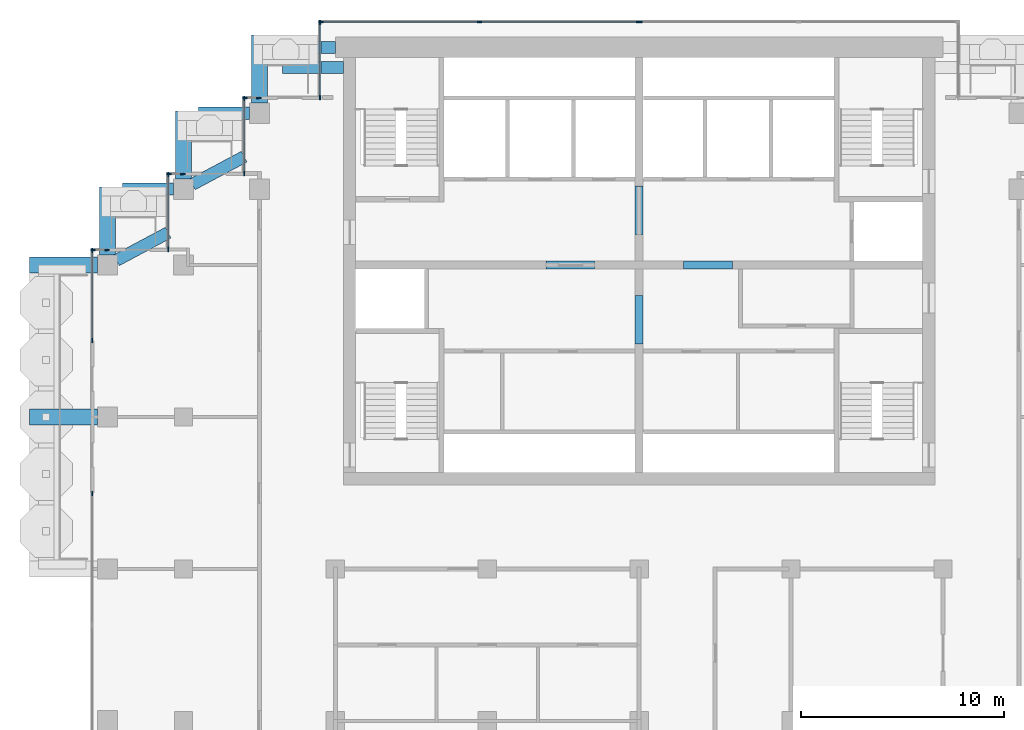
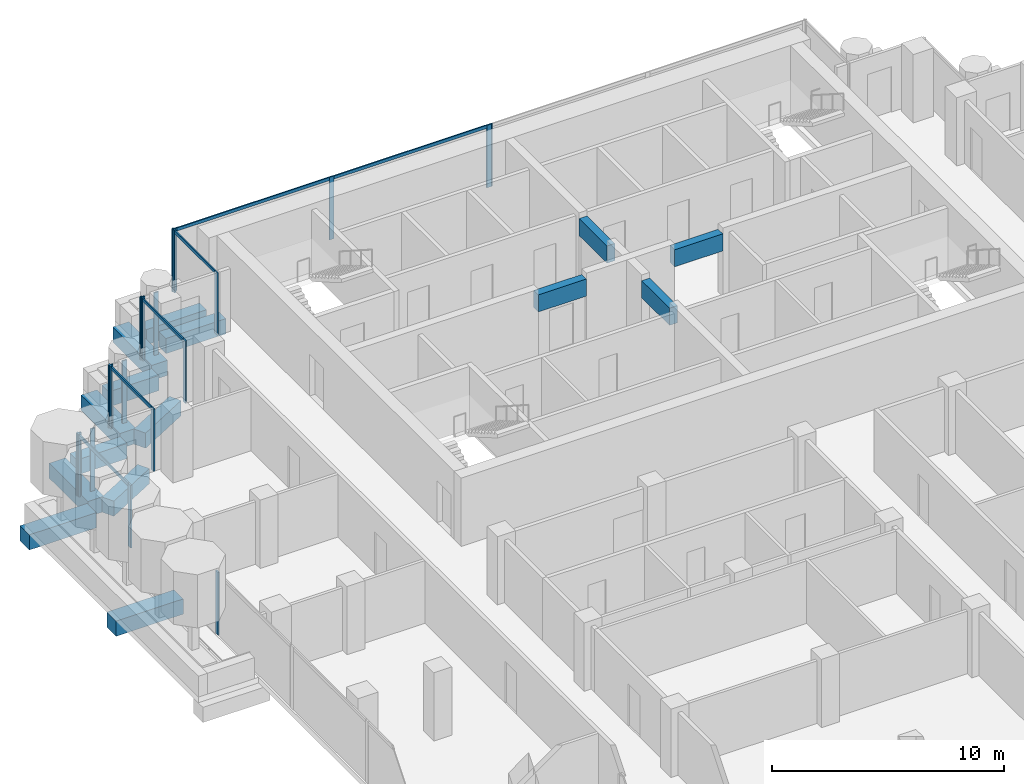
# One storey, part 5 of 18: 25 members, 15 beams, 10 elements without a shape of their own.
"""IFC4 building model written with IfcOpenShell, lengths in metres."""

from ifc_helpers import new_model, si_unit, direction, frame, origin, origin_2d, place, context, subcontext, project, spatial, rectangle, extrude, material, material_profile, profile_set, type_object, element, aggregate, save


model = new_model("IFC4")

# Units and contexts
model_context = context("Model", 3, precision=1e-05, world=origin(), true_north=direction((0.0, 1.0)))
body_context = subcontext(model_context, "Body", "Model", "MODEL_VIEW")
ifc_project = project(units=[si_unit("LENGTHUNIT", "METRE"), si_unit("AREAUNIT", "SQUARE_METRE"), si_unit("VOLUMEUNIT", "CUBIC_METRE"), si_unit("PLANEANGLEUNIT", "RADIAN"), si_unit("MASSUNIT", "GRAM", prefix="KILO")], contexts=[model_context])

# Site, building, storey
site_placement = place(None, origin())
site = spatial("IfcSite", under=ifc_project, at=site_placement, CompositionType="ELEMENT")
building_placement = place(site_placement, origin())
building = spatial("IfcBuilding", under=site, at=building_placement, Name="Pilkhan Gate Tower", CompositionType="ELEMENT")
storey_placement = place(building_placement, frame((0.0, 0.0, 199.5)))
storey = spatial("IfcBuildingStorey", under=building, at=storey_placement, Name="L51", CompositionType="ELEMENT", Elevation=199.5)

# Beams
ifc_material_1 = material(Name="Concrete C50/60", Category="concrete")
ifc_material_profile_1 = material_profile(ifc_material_1, rectangle(XDim=0.60009765625, YDim=0.800048828125, at=origin_2d()), Name="RC 600x800")
ifc_profile_set_1 = profile_set([ifc_material_profile_1], Name="Concrete C50/60")
beam_type_1 = type_object("IfcBeamType", Name="Cantilever beam CB1 RC 600x800 C50/60", PredefinedType="BEAM", material=ifc_profile_set_1)
for number, where, z_axis, x_axis, name in (
    (1, (60.0, 93.25, -0.699951171875), (-1.0, 0.0, 0.0), (0.0, -1.0, 0.0), "Balcony beam NW.2 L51"),
    (2, (60.39990234375, 92.25, -0.699951171875), (-1.0, 0.0, 0.0), (0.0, -1.0, 0.0), "Balcony beam NW.3 L51"),
):
    element("IfcBeam", number, at=place(storey_placement, frame(where, z_axis=z_axis, x_axis=x_axis)), inside=storey, type_object=beam_type_1, Name=name, PredefinedType="BEAM", context=body_context, shape_type="SweptSolid", body=[
        extrude(rectangle(XDim=0.60009765625, YDim=0.800048828125, at=origin_2d()), origin(), (0.0, 0.0, 1.0), 3.0),
    ])
beam_1_placement = place(storey_placement, frame((55.75, 90.0, -0.699951171875), z_axis=(-1.0, 0.0, 0.0), x_axis=(0.0, -1.0, 0.0)))
element("IfcBeam", 3, at=beam_1_placement, inside=storey, type_object=beam_type_1, Name="Balcony beam NW1.2 L51", PredefinedType="BEAM", context=body_context, shape_type="SweptSolid", body=[
    extrude(rectangle(XDim=0.60009765625, YDim=0.800048828125, at=origin_2d()), origin(), (0.0, 0.0, 1.0), 2.5),
])
beam_2_placement = place(storey_placement, frame((52.941162109375, 86.4853515625, -0.699951171875), z_axis=(0.882348280344, 0.470596974251, 0.0), x_axis=(-0.470596974251, 0.882348280344, 0.0)))
element("IfcBeam", 4, at=beam_2_placement, inside=storey, type_object=beam_type_1, Name="Balcony beam NW1.3 L51", PredefinedType="BEAM", context=body_context, shape_type="SweptSolid", body=[
    extrude(rectangle(XDim=0.60009765625, YDim=0.800048828125, at=origin_2d()), origin(), (0.0, 0.0, 1.0), 2.900146484375),
])
beam_3_placement = place(storey_placement, frame((52.0, 86.25, -0.699951171875), z_axis=(-1.0, 0.0, 0.0), x_axis=(0.0, -1.0, 0.0)))
element("IfcBeam", 5, at=beam_3_placement, inside=storey, type_object=beam_type_1, Name="Balcony beam NW2.2 L51", PredefinedType="BEAM", context=body_context, shape_type="SweptSolid", body=[
    extrude(rectangle(XDim=0.60009765625, YDim=0.800048828125, at=origin_2d()), origin(), (0.0, 0.0, 1.0), 2.5),
])
beam_4_placement = place(storey_placement, frame((49.191162109375, 82.7353515625, -0.699951171875), z_axis=(0.882348280344, 0.470596974251, 0.0), x_axis=(-0.470596974251, 0.882348280344, 0.0)))
element("IfcBeam", 6, at=beam_4_placement, inside=storey, type_object=beam_type_1, Name="Balcony beam NW2.3 L51", PredefinedType="BEAM", context=body_context, shape_type="SweptSolid", body=[
    extrude(rectangle(XDim=0.60009765625, YDim=0.800048828125, at=origin_2d()), origin(), (0.0, 0.0, 1.0), 2.900146484375),
])
ifc_material_profile_2 = material_profile(ifc_material_1, rectangle(XDim=0.800048828125, YDim=0.800048828125, at=origin_2d()), Name="RC 800x800")
ifc_profile_set_2 = profile_set([ifc_material_profile_2], Name="Concrete C50/60")
beam_type_2 = type_object("IfcBeamType", Name="Cantilever beam CB2 RC 800x800 C50/60", PredefinedType="BEAM", material=ifc_profile_set_2)
for number, where, z_axis, x_axis, name in (
    (7, (56.25, 90.5, -0.699951171875), (0.0, 1.0, 0.0), (-1.0, 0.0, 0.0), "Balcony beam NW.1 L51"),
    (8, (52.5, 86.75, -0.699951171875), (0.0, 1.0, 0.0), (-1.0, 0.0, 0.0), "Balcony beam NW1.1 L51"),
    (9, (48.75, 83.0, -0.699951171875), (0.0, 1.0, 0.0), (-1.0, 0.0, 0.0), "Balcony beam NW2.1 L51"),
    (10, (48.25, 75.0, -0.699951171875), (-1.0, 0.0, 0.0), (0.0, -1.0, 0.0), "Balcony beam W.2 L51"),
    (11, (48.25, 82.5, -0.699951171875), (-1.0, 0.0, 0.0), (0.0, -1.0, 0.0), "Balcony beam W.3 L51"),
):
    element("IfcBeam", number, at=place(storey_placement, frame(where, z_axis=z_axis, x_axis=x_axis)), inside=storey, type_object=beam_type_2, Name=name, PredefinedType="BEAM", context=body_context, shape_type="SweptSolid", body=[
        extrude(rectangle(XDim=0.800048828125, YDim=0.800048828125, at=origin_2d()), origin(), (0.0, 0.0, 1.0), 3.35009765625),
    ])
ifc_material_profile_3 = material_profile(ifc_material_1, rectangle(XDim=0.39990234375, YDim=0.89990234375, at=origin_2d()), Name="RC 400x900")
ifc_profile_set_3 = profile_set([ifc_material_profile_3], Name="Concrete C50/60")
beam_type_3 = type_object("IfcBeamType", Name="Coupling beam CB90-4 RC 400x900 C50/60", PredefinedType="LINTEL", material=ifc_profile_set_3)
for number, where, z_axis, x_axis, name in (
    (12, (70.39990234375, 82.5, 2.85009765625), (1.0, 0.0, 0.0), (0.0, 1.0, 0.0), "Coupling beam 1 L51"),
    (13, (77.199951171875, 82.5, 2.85009765625), (1.0, 0.0, 0.0), (0.0, 1.0, 0.0), "Coupling beam 2 L51"),
):
    element("IfcBeam", number, at=place(storey_placement, frame(where, z_axis=z_axis, x_axis=x_axis)), inside=storey, type_object=beam_type_3, Name=name, PredefinedType="LINTEL", context=body_context, shape_type="SweptSolid", body=[
        extrude(rectangle(XDim=0.39990234375, YDim=0.89990234375, at=origin_2d()), origin(), (0.0, 0.0, 1.0), 2.400146484375),
    ])
for number, where, z_axis, x_axis, name in (
    (14, (75.0, 78.60009765625, 2.85009765625), (0.0, 1.0, 0.0), (-1.0, 0.0, 0.0), "Coupling beam 3 L51"),
    (15, (75.0, 84.0, 2.85009765625), (0.0, 1.0, 0.0), (-1.0, 0.0, 0.0), "Coupling beam 4 L51"),
):
    element("IfcBeam", number, at=place(storey_placement, frame(where, z_axis=z_axis, x_axis=x_axis)), inside=storey, type_object=beam_type_3, Name=name, PredefinedType="LINTEL", context=body_context, shape_type="SweptSolid", body=[
        extrude(rectangle(XDim=0.39990234375, YDim=0.89990234375, at=origin_2d()), origin(), (0.0, 0.0, 1.0), 2.39990234375),
    ])

# Curtain wall, members
ifc_material_2 = material(Name="Pale anodised aluminium, clear low-iron double glazing", Category="aluminium")
curtain_wall_type = type_object("IfcCurtainWallType", Name="Office unitised curtain wall CW-O2", PredefinedType="USERDEFINED", material=ifc_material_2)
curtain_wall_1_placement = place(storey_placement, origin())
curtain_wall_1 = element("IfcCurtainWall", 16, at=curtain_wall_1_placement, inside=storey, type_object=curtain_wall_type, Name="Office unitised curtain wall CW-O2 L51 N", ObjectType="UNITISED CURTAIN WALL", PredefinedType="USERDEFINED")
ifc_material_3 = material(Name="Pale anodised aluminium", Category="aluminium")
ifc_material_profile_4 = material_profile(ifc_material_3, rectangle(XDim=0.06494140625, YDim=0.22509765625, at=origin_2d()), Name="Mullion 225x65")
ifc_profile_set_4 = profile_set([ifc_material_profile_4], Name="Pale anodised aluminium")
member_type_1 = type_object("IfcMemberType", Name="Mullion CW-O2 225x65", PredefinedType="MULLION", material=ifc_profile_set_4)
member_1_placement = place(storey_placement, frame((59.282470703125, 94.5, 0.0), z_axis=(0.0, 0.0, 1.0), x_axis=(0.0, 1.0, 0.0)))
member_1 = element("IfcMember", 17, at=member_1_placement, type_object=member_type_1, Name="CW-O2 mullion 1", PredefinedType="MULLION", context=body_context, shape_type="SweptSolid", body=[
    extrude(rectangle(XDim=0.06494140625, YDim=0.22509765625, at=origin_2d()), origin(), (0.0, 0.0, 1.0), 3.300048828125),
])
member_2_placement = place(storey_placement, frame((67.125, 94.5, 0.0), z_axis=(0.0, 0.0, 1.0), x_axis=(0.0, 1.0, 0.0)))
member_2 = element("IfcMember", 18, at=member_2_placement, type_object=member_type_1, Name="CW-O2 mullion 2", PredefinedType="MULLION", context=body_context, shape_type="SweptSolid", body=[
    extrude(rectangle(XDim=0.06494140625, YDim=0.22509765625, at=origin_2d()), origin(), (0.0, 0.0, 1.0), 3.300048828125),
])
member_3_placement = place(storey_placement, frame((74.967529296875, 94.5, 0.0), z_axis=(0.0, 0.0, 1.0), x_axis=(0.0, 1.0, 0.0)))
member_3 = element("IfcMember", 19, at=member_3_placement, type_object=member_type_1, Name="CW-O2 mullion 3", PredefinedType="MULLION", context=body_context, shape_type="SweptSolid", body=[
    extrude(rectangle(XDim=0.06494140625, YDim=0.22509765625, at=origin_2d()), origin(), (0.0, 0.0, 1.0), 3.300048828125),
])

# Curtain wall, member
curtain_wall_2_placement = place(storey_placement, origin())
curtain_wall_2 = element("IfcCurtainWall", 20, at=curtain_wall_2_placement, inside=storey, type_object=curtain_wall_type, Name="Office unitised curtain wall CW-O2 L51 N", ObjectType="UNITISED CURTAIN WALL", PredefinedType="USERDEFINED")
member_4_placement = place(storey_placement, frame((75.032470703125, 94.5, 0.0), z_axis=(0.0, 0.0, 1.0), x_axis=(0.0, 1.0, 0.0)))
member_4 = element("IfcMember", 21, at=member_4_placement, type_object=member_type_1, Name="CW-O2 mullion 1", PredefinedType="MULLION", context=body_context, shape_type="SweptSolid", body=[
    extrude(rectangle(XDim=0.06494140625, YDim=0.22509765625, at=origin_2d()), origin(), (0.0, 0.0, 1.0), 3.300048828125),
])
aggregate(curtain_wall_2, [member_4])

# Curtain wall, members
curtain_wall_3_placement = place(storey_placement, origin())
curtain_wall_3 = element("IfcCurtainWall", 22, at=curtain_wall_3_placement, inside=storey, type_object=curtain_wall_type, Name="Office unitised curtain wall CW-O2 L51 W", ObjectType="UNITISED CURTAIN WALL", PredefinedType="USERDEFINED")
member_5_placement = place(storey_placement, frame((59.25, 90.782470703125, 0.0), z_axis=(0.0, 0.0, 1.0), x_axis=(-1.0, 0.0, 0.0)))
member_5 = element("IfcMember", 23, at=member_5_placement, type_object=member_type_1, Name="CW-O2 mullion 1", PredefinedType="MULLION", context=body_context, shape_type="SweptSolid", body=[
    extrude(rectangle(XDim=0.06494140625, YDim=0.22509765625, at=origin_2d()), origin(), (0.0, 0.0, 1.0), 3.300048828125),
])
member_6_placement = place(storey_placement, frame((59.25, 94.467529296875, 0.0), z_axis=(0.0, 0.0, 1.0), x_axis=(-1.0, 0.0, 0.0)))
member_6 = element("IfcMember", 24, at=member_6_placement, type_object=member_type_1, Name="CW-O2 mullion 2", PredefinedType="MULLION", context=body_context, shape_type="SweptSolid", body=[
    extrude(rectangle(XDim=0.06494140625, YDim=0.22509765625, at=origin_2d()), origin(), (0.0, 0.0, 1.0), 3.300048828125),
])

curtain_wall_4_placement = place(storey_placement, origin())
curtain_wall_4 = element("IfcCurtainWall", 25, at=curtain_wall_4_placement, inside=storey, type_object=curtain_wall_type, Name="Office unitised curtain wall CW-O2 L51 N", ObjectType="UNITISED CURTAIN WALL", PredefinedType="USERDEFINED")
member_7_placement = place(storey_placement, frame((55.532470703125, 90.75, 0.0), z_axis=(0.0, 0.0, 1.0), x_axis=(0.0, 1.0, 0.0)))
member_7 = element("IfcMember", 26, at=member_7_placement, type_object=member_type_1, Name="CW-O2 mullion 1", PredefinedType="MULLION", context=body_context, shape_type="SweptSolid", body=[
    extrude(rectangle(XDim=0.06494140625, YDim=0.22509765625, at=origin_2d()), origin(), (0.0, 0.0, 1.0), 3.300048828125),
])
member_8_placement = place(storey_placement, frame((56.217529296875, 90.75, 0.0), z_axis=(0.0, 0.0, 1.0), x_axis=(0.0, 1.0, 0.0)))
member_8 = element("IfcMember", 27, at=member_8_placement, type_object=member_type_1, Name="CW-O2 mullion 2", PredefinedType="MULLION", context=body_context, shape_type="SweptSolid", body=[
    extrude(rectangle(XDim=0.06494140625, YDim=0.22509765625, at=origin_2d()), origin(), (0.0, 0.0, 1.0), 3.300048828125),
])
aggregate(curtain_wall_4, [member_7, member_8])

curtain_wall_5_placement = place(storey_placement, origin())
curtain_wall_5 = element("IfcCurtainWall", 28, at=curtain_wall_5_placement, inside=storey, type_object=curtain_wall_type, Name="Office unitised curtain wall CW-O2 L51 W", ObjectType="UNITISED CURTAIN WALL", PredefinedType="USERDEFINED")
member_9_placement = place(storey_placement, frame((55.5, 87.032470703125, 0.0), z_axis=(0.0, 0.0, 1.0), x_axis=(-1.0, 0.0, 0.0)))
member_9 = element("IfcMember", 29, at=member_9_placement, type_object=member_type_1, Name="CW-O2 mullion 1", PredefinedType="MULLION", context=body_context, shape_type="SweptSolid", body=[
    extrude(rectangle(XDim=0.06494140625, YDim=0.22509765625, at=origin_2d()), origin(), (0.0, 0.0, 1.0), 3.300048828125),
])
member_10_placement = place(storey_placement, frame((55.5, 90.717529296875, 0.0), z_axis=(0.0, 0.0, 1.0), x_axis=(-1.0, 0.0, 0.0)))
member_10 = element("IfcMember", 30, at=member_10_placement, type_object=member_type_1, Name="CW-O2 mullion 2", PredefinedType="MULLION", context=body_context, shape_type="SweptSolid", body=[
    extrude(rectangle(XDim=0.06494140625, YDim=0.22509765625, at=origin_2d()), origin(), (0.0, 0.0, 1.0), 3.300048828125),
])

curtain_wall_6_placement = place(storey_placement, origin())
curtain_wall_6 = element("IfcCurtainWall", 31, at=curtain_wall_6_placement, inside=storey, type_object=curtain_wall_type, Name="Office unitised curtain wall CW-O2 L51 N", ObjectType="UNITISED CURTAIN WALL", PredefinedType="USERDEFINED")
member_11_placement = place(storey_placement, frame((51.782470703125, 87.0, 0.0), z_axis=(0.0, 0.0, 1.0), x_axis=(0.0, 1.0, 0.0)))
member_11 = element("IfcMember", 32, at=member_11_placement, type_object=member_type_1, Name="CW-O2 mullion 1", PredefinedType="MULLION", context=body_context, shape_type="SweptSolid", body=[
    extrude(rectangle(XDim=0.06494140625, YDim=0.22509765625, at=origin_2d()), origin(), (0.0, 0.0, 1.0), 3.300048828125),
])
member_12_placement = place(storey_placement, frame((52.467529296875, 87.0, 0.0), z_axis=(0.0, 0.0, 1.0), x_axis=(0.0, 1.0, 0.0)))
member_12 = element("IfcMember", 33, at=member_12_placement, type_object=member_type_1, Name="CW-O2 mullion 2", PredefinedType="MULLION", context=body_context, shape_type="SweptSolid", body=[
    extrude(rectangle(XDim=0.06494140625, YDim=0.22509765625, at=origin_2d()), origin(), (0.0, 0.0, 1.0), 3.300048828125),
])
aggregate(curtain_wall_6, [member_11, member_12])

curtain_wall_7_placement = place(storey_placement, origin())
curtain_wall_7 = element("IfcCurtainWall", 34, at=curtain_wall_7_placement, inside=storey, type_object=curtain_wall_type, Name="Office unitised curtain wall CW-O2 L51 W", ObjectType="UNITISED CURTAIN WALL", PredefinedType="USERDEFINED")
member_13_placement = place(storey_placement, frame((51.75, 83.282470703125, 0.0), z_axis=(0.0, 0.0, 1.0), x_axis=(-1.0, 0.0, 0.0)))
member_13 = element("IfcMember", 35, at=member_13_placement, type_object=member_type_1, Name="CW-O2 mullion 1", PredefinedType="MULLION", context=body_context, shape_type="SweptSolid", body=[
    extrude(rectangle(XDim=0.06494140625, YDim=0.22509765625, at=origin_2d()), origin(), (0.0, 0.0, 1.0), 3.300048828125),
])
member_14_placement = place(storey_placement, frame((51.75, 86.967529296875, 0.0), z_axis=(0.0, 0.0, 1.0), x_axis=(-1.0, 0.0, 0.0)))
member_14 = element("IfcMember", 36, at=member_14_placement, type_object=member_type_1, Name="CW-O2 mullion 2", PredefinedType="MULLION", context=body_context, shape_type="SweptSolid", body=[
    extrude(rectangle(XDim=0.06494140625, YDim=0.22509765625, at=origin_2d()), origin(), (0.0, 0.0, 1.0), 3.300048828125),
])

curtain_wall_8_placement = place(storey_placement, origin())
curtain_wall_8 = element("IfcCurtainWall", 37, at=curtain_wall_8_placement, inside=storey, type_object=curtain_wall_type, Name="Office unitised curtain wall CW-O2 L51 N", ObjectType="UNITISED CURTAIN WALL", PredefinedType="USERDEFINED")
member_15_placement = place(storey_placement, frame((48.032470703125, 83.25, 0.0), z_axis=(0.0, 0.0, 1.0), x_axis=(0.0, 1.0, 0.0)))
member_15 = element("IfcMember", 38, at=member_15_placement, type_object=member_type_1, Name="CW-O2 mullion 1", PredefinedType="MULLION", context=body_context, shape_type="SweptSolid", body=[
    extrude(rectangle(XDim=0.06494140625, YDim=0.22509765625, at=origin_2d()), origin(), (0.0, 0.0, 1.0), 3.300048828125),
])
member_16_placement = place(storey_placement, frame((48.717529296875, 83.25, 0.0), z_axis=(0.0, 0.0, 1.0), x_axis=(0.0, 1.0, 0.0)))
member_16 = element("IfcMember", 39, at=member_16_placement, type_object=member_type_1, Name="CW-O2 mullion 2", PredefinedType="MULLION", context=body_context, shape_type="SweptSolid", body=[
    extrude(rectangle(XDim=0.06494140625, YDim=0.22509765625, at=origin_2d()), origin(), (0.0, 0.0, 1.0), 3.300048828125),
])
aggregate(curtain_wall_8, [member_15, member_16])

# Curtain wall, member
curtain_wall_9_placement = place(storey_placement, origin())
curtain_wall_9 = element("IfcCurtainWall", 40, at=curtain_wall_9_placement, inside=storey, type_object=curtain_wall_type, Name="Office unitised curtain wall CW-O2 L51 W", ObjectType="UNITISED CURTAIN WALL", PredefinedType="USERDEFINED")
member_17_placement = place(storey_placement, frame((48.0, 71.217529296875, 0.0), z_axis=(0.0, 0.0, 1.0), x_axis=(-1.0, 0.0, 0.0)))
member_17 = element("IfcMember", 41, at=member_17_placement, type_object=member_type_1, Name="CW-O2 mullion 2", PredefinedType="MULLION", context=body_context, shape_type="SweptSolid", body=[
    extrude(rectangle(XDim=0.06494140625, YDim=0.22509765625, at=origin_2d()), origin(), (0.0, 0.0, 1.0), 3.300048828125),
])
aggregate(curtain_wall_9, [member_17])

# Curtain wall, members
curtain_wall_10_placement = place(storey_placement, origin())
curtain_wall_10 = element("IfcCurtainWall", 42, at=curtain_wall_10_placement, inside=storey, type_object=curtain_wall_type, Name="Office unitised curtain wall CW-O2 L51 W", ObjectType="UNITISED CURTAIN WALL", PredefinedType="USERDEFINED")
member_18_placement = place(storey_placement, frame((48.0, 78.782470703125, 0.0), z_axis=(0.0, 0.0, 1.0), x_axis=(-1.0, 0.0, 0.0)))
member_18 = element("IfcMember", 43, at=member_18_placement, type_object=member_type_1, Name="CW-O2 mullion 1", PredefinedType="MULLION", context=body_context, shape_type="SweptSolid", body=[
    extrude(rectangle(XDim=0.06494140625, YDim=0.22509765625, at=origin_2d()), origin(), (0.0, 0.0, 1.0), 3.300048828125),
])
member_19_placement = place(storey_placement, frame((48.0, 83.217529296875, 0.0), z_axis=(0.0, 0.0, 1.0), x_axis=(-1.0, 0.0, 0.0)))
member_19 = element("IfcMember", 44, at=member_19_placement, type_object=member_type_1, Name="CW-O2 mullion 2", PredefinedType="MULLION", context=body_context, shape_type="SweptSolid", body=[
    extrude(rectangle(XDim=0.06494140625, YDim=0.22509765625, at=origin_2d()), origin(), (0.0, 0.0, 1.0), 3.300048828125),
])

# Member
ifc_material_profile_5 = material_profile(ifc_material_3, rectangle(XDim=0.06494140625, YDim=0.1650390625, at=origin_2d()), Name="Transom 165x65")
ifc_profile_set_5 = profile_set([ifc_material_profile_5], Name="Pale anodised aluminium")
member_type_2 = type_object("IfcMemberType", Name="Transom CW-O2 165x65", PredefinedType="USERDEFINED", material=ifc_profile_set_5)
member_20_placement = place(storey_placement, frame((59.31494140625, 94.5, 3.217529296875), z_axis=(1.0, 0.0, 0.0), x_axis=(0.0, 1.0, 0.0)))
member_20 = element("IfcMember", 45, at=member_20_placement, type_object=member_type_2, Name="CW-O2 transom 1", ObjectType="TRANSOM", PredefinedType="USERDEFINED", context=body_context, shape_type="SweptSolid", body=[
    extrude(rectangle(XDim=0.06494140625, YDim=0.1650390625, at=origin_2d()), origin(), (0.0, 0.0, 1.0), 7.777587890625),
])

member_21_placement = place(storey_placement, frame((67.157470703125, 94.5, 3.217529296875), z_axis=(1.0, 0.0, 0.0), x_axis=(0.0, 1.0, 0.0)))
member_21 = element("IfcMember", 46, at=member_21_placement, type_object=member_type_2, Name="CW-O2 transom 2", ObjectType="TRANSOM", PredefinedType="USERDEFINED", context=body_context, shape_type="SweptSolid", body=[
    extrude(rectangle(XDim=0.06494140625, YDim=0.1650390625, at=origin_2d()), origin(), (0.0, 0.0, 1.0), 7.777587890625),
])

aggregate(curtain_wall_1, [member_1, member_2, member_3, member_20, member_21])

member_22_placement = place(storey_placement, frame((59.25, 90.81494140625, 3.217529296875), z_axis=(0.0, 1.0, 0.0), x_axis=(-1.0, 0.0, 0.0)))
member_22 = element("IfcMember", 47, at=member_22_placement, type_object=member_type_2, Name="CW-O2 transom 1", ObjectType="TRANSOM", PredefinedType="USERDEFINED", context=body_context, shape_type="SweptSolid", body=[
    extrude(rectangle(XDim=0.06494140625, YDim=0.1650390625, at=origin_2d()), origin(), (0.0, 0.0, 1.0), 3.6201171875),
])

aggregate(curtain_wall_3, [member_5, member_6, member_22])

member_23_placement = place(storey_placement, frame((55.5, 87.06494140625, 3.217529296875), z_axis=(0.0, 1.0, 0.0), x_axis=(-1.0, 0.0, 0.0)))
member_23 = element("IfcMember", 48, at=member_23_placement, type_object=member_type_2, Name="CW-O2 transom 1", ObjectType="TRANSOM", PredefinedType="USERDEFINED", context=body_context, shape_type="SweptSolid", body=[
    extrude(rectangle(XDim=0.06494140625, YDim=0.1650390625, at=origin_2d()), origin(), (0.0, 0.0, 1.0), 3.6201171875),
])

aggregate(curtain_wall_5, [member_9, member_10, member_23])

member_24_placement = place(storey_placement, frame((51.75, 83.31494140625, 3.217529296875), z_axis=(0.0, 1.0, 0.0), x_axis=(-1.0, 0.0, 0.0)))
member_24 = element("IfcMember", 49, at=member_24_placement, type_object=member_type_2, Name="CW-O2 transom 1", ObjectType="TRANSOM", PredefinedType="USERDEFINED", context=body_context, shape_type="SweptSolid", body=[
    extrude(rectangle(XDim=0.06494140625, YDim=0.1650390625, at=origin_2d()), origin(), (0.0, 0.0, 1.0), 3.6201171875),
])

aggregate(curtain_wall_7, [member_13, member_14, member_24])

member_25_placement = place(storey_placement, frame((48.0, 78.81494140625, 3.217529296875), z_axis=(0.0, 1.0, 0.0), x_axis=(-1.0, 0.0, 0.0)))
member_25 = element("IfcMember", 50, at=member_25_placement, type_object=member_type_2, Name="CW-O2 transom 1", ObjectType="TRANSOM", PredefinedType="USERDEFINED", context=body_context, shape_type="SweptSolid", body=[
    extrude(rectangle(XDim=0.06494140625, YDim=0.1650390625, at=origin_2d()), origin(), (0.0, 0.0, 1.0), 4.3701171875),
])

aggregate(curtain_wall_10, [member_18, member_19, member_25])

save(model, "model.ifc")
